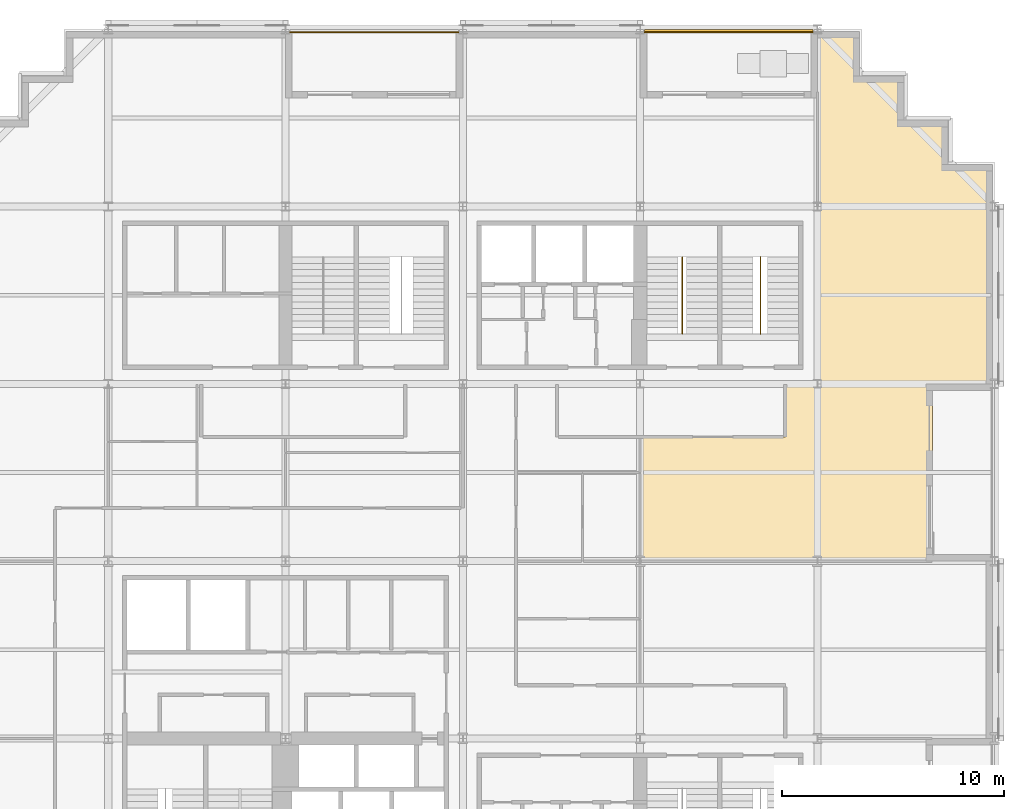
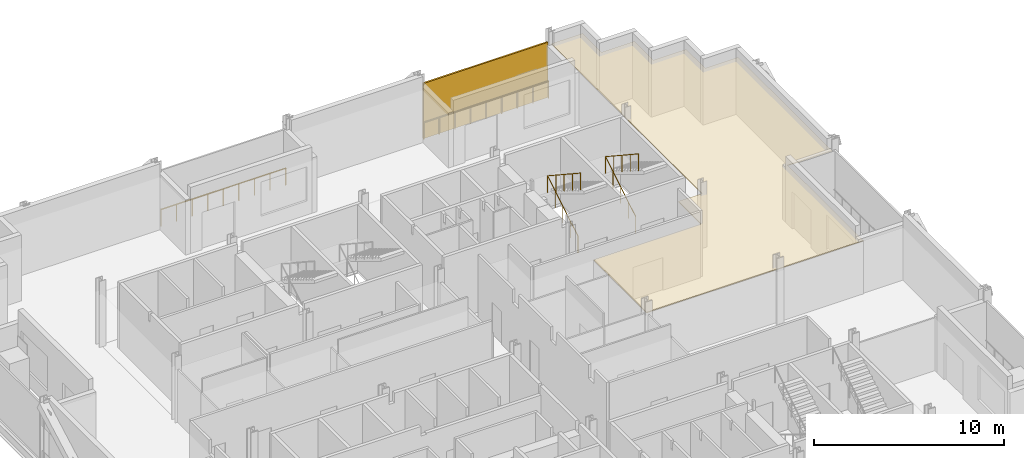
# One storey, part 13 of 14: 4 railings, 1 covering, 1 shading device.
"""IFC4 building model written with IfcOpenShell, lengths in metres."""

from ifc_helpers import new_model, si_unit, direction, frame, origin, origin_2d, place, context, subcontext, project, spatial, polyline, rectangle, circle, outline, extrude, material, layer, layer_set, type_object, element, save


model = new_model("IFC4")

# Units and contexts
model_context = context("Model", 3, precision=1e-05, world=origin(), true_north=direction((0.0, 1.0)))
body_context = subcontext(model_context, "Body", "Model", "MODEL_VIEW")
ifc_project = project(units=[si_unit("LENGTHUNIT", "METRE"), si_unit("AREAUNIT", "SQUARE_METRE"), si_unit("VOLUMEUNIT", "CUBIC_METRE"), si_unit("PLANEANGLEUNIT", "RADIAN"), si_unit("MASSUNIT", "GRAM", prefix="KILO")], contexts=[model_context])

# Site, building, storey
site_placement = place(None, origin())
site = spatial("IfcSite", under=ifc_project, at=site_placement, CompositionType="ELEMENT")
building_placement = place(site_placement, origin())
building = spatial("IfcBuilding", under=site, at=building_placement, Name="Immortelle Media Tower", CompositionType="ELEMENT")
storey_placement = place(building_placement, frame((0.0, 0.0, 43.60009765625)))
storey = spatial("IfcBuildingStorey", under=building, at=storey_placement, Name="L06", CompositionType="ELEMENT", Elevation=43.60009765625)

# Railings
ifc_material_1 = material(Name="Powder-coated aluminium fretwork panel, laminated glass backing", Category="aluminium")
railing_type_1 = type_object("IfcRailingType", Name="Fretwork balustrade 1100", PredefinedType="BALUSTRADE", material=ifc_material_1)
railing_1_placement = place(storey_placement, frame((39.800537109375, 47.860107421875, 0.0)))
element("IfcRailing", 1, at=railing_1_placement, inside=storey, type_object=railing_type_1, Name="Fretwork balustrade L06 N0", PredefinedType="BALUSTRADE", context=body_context, shape_type="SweptSolid", body=[
    extrude(circle(Radius=0.02490234375, at=origin_2d()), frame((0.0, 0.0, 1.0751953125), z_axis=(-1.0, 0.0, 0.0), x_axis=(0.0, -1.0, 0.0)), (0.0, 0.0, 1.0), 7.59765625),
    extrude(circle(Radius=0.02001953125, at=origin_2d()), origin(), (0.0, 0.0, 1.0), 1.050048828125),
    extrude(circle(Radius=0.02001953125, at=origin_2d()), frame((-0.94970703125, 0.0, 0.0)), (0.0, 0.0, 1.0), 1.050048828125),
    extrude(circle(Radius=0.02001953125, at=origin_2d()), frame((-1.8994140625, 0.0, 0.0)), (0.0, 0.0, 1.0), 1.050048828125),
    extrude(circle(Radius=0.02001953125, at=origin_2d()), frame((-2.84912109375, 0.0, 0.0)), (0.0, 0.0, 1.0), 1.050048828125),
    extrude(circle(Radius=0.02001953125, at=origin_2d()), frame((-3.798828125, 0.0, 0.0)), (0.0, 0.0, 1.0), 1.050048828125),
    extrude(circle(Radius=0.02001953125, at=origin_2d()), frame((-4.74853515625, 0.0, 0.0)), (0.0, 0.0, 1.0), 1.050048828125),
    extrude(circle(Radius=0.02001953125, at=origin_2d()), frame((-5.6982421875, 0.0, 0.0)), (0.0, 0.0, 1.0), 1.050048828125),
    extrude(circle(Radius=0.02001953125, at=origin_2d()), frame((-6.64794921875, 0.0, 0.0)), (0.0, 0.0, 1.0), 1.050048828125),
    extrude(circle(Radius=0.02001953125, at=origin_2d()), frame((-7.59765625, 0.0, 0.0)), (0.0, 0.0, 1.0), 1.050048828125),
])
railing_2_placement = place(storey_placement, frame((23.797119140625, 47.860107421875, 0.0)))
element("IfcRailing", 2, at=railing_2_placement, inside=storey, type_object=railing_type_1, Name="Fretwork balustrade L06 N2", PredefinedType="BALUSTRADE", context=body_context, shape_type="SweptSolid", body=[
    extrude(circle(Radius=0.02490234375, at=origin_2d()), frame((0.0, 0.0, 1.0751953125), z_axis=(-1.0, 0.0, 0.0), x_axis=(0.0, -1.0, 0.0)), (0.0, 0.0, 1.0), 7.591552734375),
    extrude(circle(Radius=0.02001953125, at=origin_2d()), origin(), (0.0, 0.0, 1.0), 1.050048828125),
    extrude(circle(Radius=0.02001953125, at=origin_2d()), frame((-0.948974609375, 0.0, 0.0)), (0.0, 0.0, 1.0), 1.050048828125),
    extrude(circle(Radius=0.02001953125, at=origin_2d()), frame((-1.89794921875, 0.0, 0.0)), (0.0, 0.0, 1.0), 1.050048828125),
    extrude(circle(Radius=0.02001953125, at=origin_2d()), frame((-2.846923828125, 0.0, 0.0)), (0.0, 0.0, 1.0), 1.050048828125),
    extrude(circle(Radius=0.02001953125, at=origin_2d()), frame((-3.7958984375, 0.0, 0.0)), (0.0, 0.0, 1.0), 1.050048828125),
    extrude(circle(Radius=0.02001953125, at=origin_2d()), frame((-4.74462890625, 0.0, 0.0)), (0.0, 0.0, 1.0), 1.050048828125),
    extrude(circle(Radius=0.02001953125, at=origin_2d()), frame((-5.693603515625, 0.0, 0.0)), (0.0, 0.0, 1.0), 1.050048828125),
    extrude(circle(Radius=0.02001953125, at=origin_2d()), frame((-6.642578125, 0.0, 0.0)), (0.0, 0.0, 1.0), 1.050048828125),
    extrude(circle(Radius=0.02001953125, at=origin_2d()), frame((-7.591552734375, 0.0, 0.0)), (0.0, 0.0, 1.0), 1.050048828125),
])

# Shading device
ifc_material_2 = material(Name="Pale aluminium louvre blades", Category="aluminium")
ifc_layer_1 = layer(ifc_material_2, 0.10009765625)
ifc_layer_set_1 = layer_set([ifc_layer_1], Name="Pale aluminium louvre blades")
shading_device_type = type_object("IfcShadingDeviceType", Name="Jalousie screen 100", PredefinedType="JALOUSIE", material=ifc_layer_set_1)
shading_device_placement = place(storey_placement, frame((36.001708984375, 47.949951171875, 0.0), z_axis=(0.0, 0.0, 1.0), x_axis=(-1.0, 0.0, 0.0)))
element("IfcShadingDevice", 3, at=shading_device_placement, inside=storey, type_object=shading_device_type, Name="Jalousie screen L06 N0", PredefinedType="JALOUSIE", context=body_context, shape_type="SweptSolid", body=[
    extrude(rectangle(XDim=7.597412109375, YDim=0.10009765625, at=origin_2d()), origin(), (0.0, 0.0, 1.0), 3.553955078125),
])

# Railings
ifc_material_3 = material(Name="Stainless steel AISI 316", Category="steel")
railing_type_2 = type_object("IfcRailingType", Name="Stair guard 1100", PredefinedType="GUARDRAIL", material=ifc_material_3)
for number, where, name in (
    (4, (33.89990234375, 34.5400390625, 0.17578125), "Stair guard NE1"),
    (5, (37.425048828125, 34.5400390625, 0.17578125), "Stair guard NE2"),
):
    element("IfcRailing", number, at=place(storey_placement, frame(where)), inside=storey, type_object=railing_type_2, Name=name, PredefinedType="GUARDRAIL", context=body_context, shape_type="SweptSolid", body=[
        extrude(circle(Radius=0.02392578125, at=origin_2d()), frame((0.0, 0.0, 1.076171875), z_axis=(0.0, 0.854872504309, 0.518838126371), x_axis=(-1.0, 0.0, 0.0)), (0.0, 0.0, 1.0), 3.7314453125),
        extrude(circle(Radius=0.02392578125, at=origin_2d()), frame((0.0, 3.18994140625, 3.01220703125), z_axis=(0.0, -0.835568629342, 0.549386080693), x_axis=(1.0, 0.0, 0.0)), (0.0, 0.0, 1.0), 4.164794921875),
        extrude(circle(Radius=0.02099609375, at=origin_2d()), origin(), (0.0, 0.0, 1.0), 1.052001953125),
        extrude(circle(Radius=0.02099609375, at=origin_2d()), frame((0.0, 0.79736328125, 0.48388671875)), (0.0, 0.0, 1.0), 1.052001953125),
        extrude(circle(Radius=0.02099609375, at=origin_2d()), frame((0.0, 1.594970703125, 0.968017578125)), (0.0, 0.0, 1.0), 1.052001953125),
        extrude(circle(Radius=0.02099609375, at=origin_2d()), frame((0.0, 2.392578125, 1.4521484375)), (0.0, 0.0, 1.0), 1.052001953125),
        extrude(circle(Radius=0.02099609375, at=origin_2d()), frame((0.0, 3.18994140625, 1.93603515625)), (0.0, 0.0, 1.0), 1.052001953125),
        extrude(circle(Radius=0.02099609375, at=origin_2d()), frame((0.0, 2.31982421875, 2.508056640625)), (0.0, 0.0, 1.0), 1.052001953125),
        extrude(circle(Radius=0.02099609375, at=origin_2d()), frame((0.0, 1.449951171875, 3.080078125)), (0.0, 0.0, 1.0), 1.052001953125),
        extrude(circle(Radius=0.02099609375, at=origin_2d()), frame((0.0, 0.580078125, 3.652099609375)), (0.0, 0.0, 1.0), 1.052001953125),
        extrude(circle(Radius=0.02099609375, at=origin_2d()), frame((0.0, -0.2900390625, 4.22412109375)), (0.0, 0.0, 1.0), 1.052001953125),
    ])

# Covering
ifc_material_4 = material(Name="Mineral fibre tile ceiling")
ifc_layer_2 = layer(ifc_material_4, 0.050048828125)
ifc_layer_set_2 = layer_set([ifc_layer_2], Name="Mineral fibre tile ceiling")
covering_type = type_object("IfcCoveringType", Name="Suspended ceiling 50", PredefinedType="CEILING", material=ifc_layer_set_2)
covering_placement = place(storey_placement, frame((0.0, 0.0, 3.3408203125)))
element("IfcCovering", 6, at=covering_placement, inside=storey, type_object=covering_type, Name="Ceiling L06-021", PredefinedType="CEILING", context=body_context, shape_type="SweptSolid", body=[
    extrude(outline(polyline([(38.550048828125, 32.0), (40.0, 32.0), (40.0, 40.0), (40.0, 45.199951171875), (40.0, 47.89990234375), (41.89990234375, 47.89990234375), (41.89990234375, 45.89990234375), (43.89990234375, 45.89990234375), (43.89990234375, 43.89990234375), (45.89990234375, 43.89990234375), (45.89990234375, 41.89990234375), (47.89990234375, 41.89990234375), (47.89990234375, 40.0), (47.89990234375, 32.0), (45.199951171875, 32.0), (45.199951171875, 24.0), (40.0, 24.0), (32.0, 24.0), (32.0, 29.60009765625), (38.550048828125, 29.60009765625), (38.550048828125, 32.0)])), origin(), (0.0, 0.0, 1.0), 0.050048828125),
])

save(model, "model.ifc")
